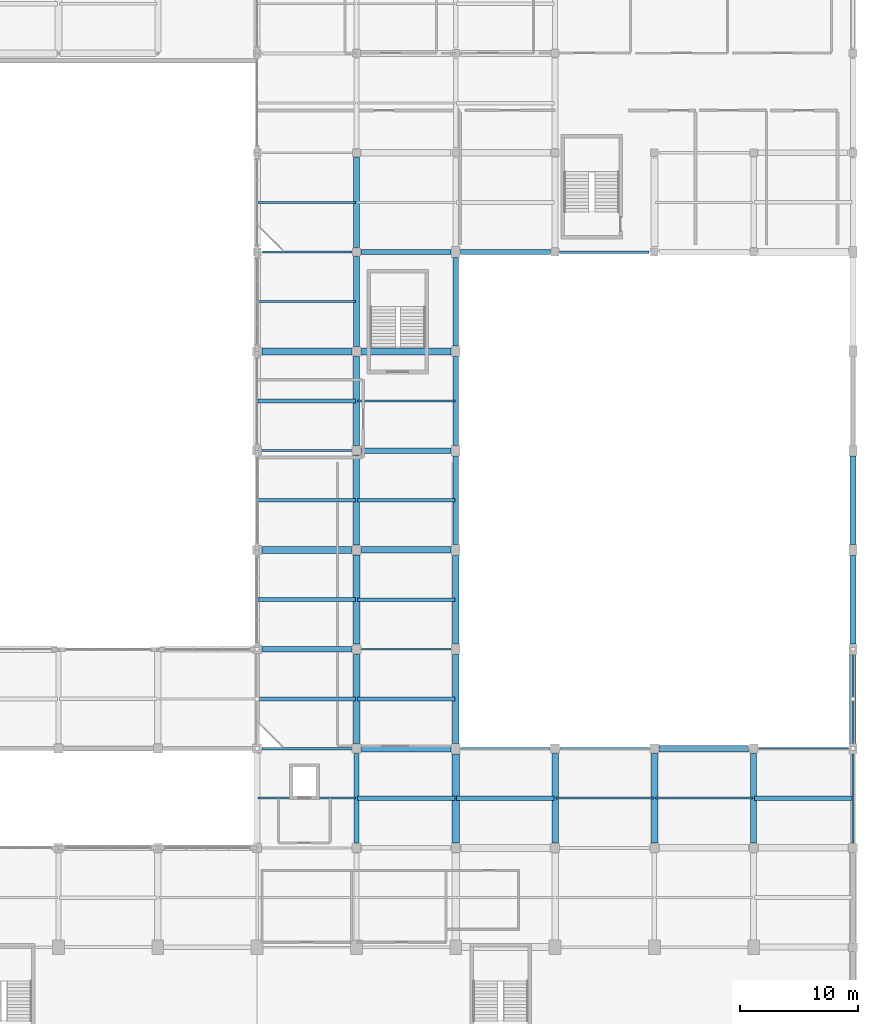
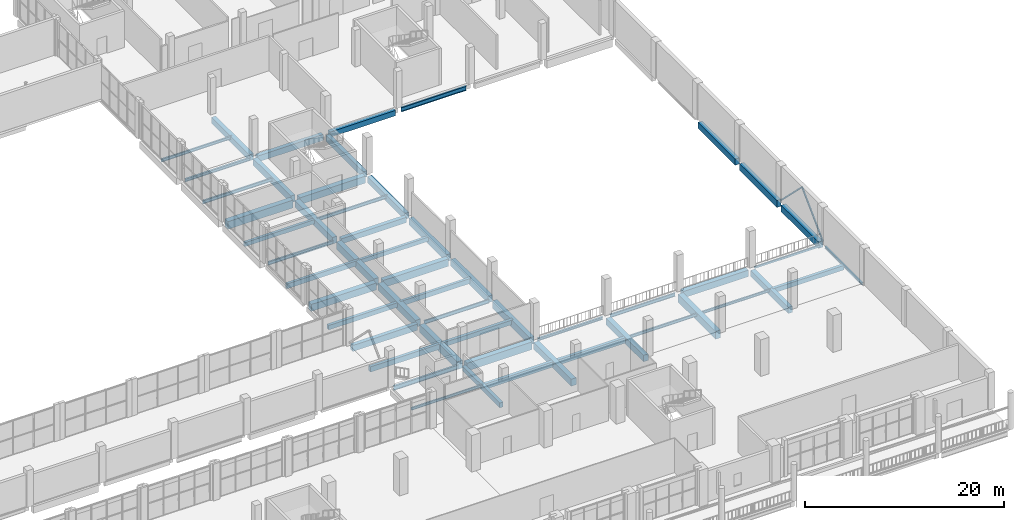
# One storey, part 44 of 75: 54 beams, 2 members.
"""IFC4 building model written with IfcOpenShell, lengths in metres."""

from ifc_helpers import new_model, si_unit, derived_unit, direction, frame, origin, origin_2d, place, context, subcontext, project, spatial, rectangle, hollow_rectangle, i_section, extrude, material, material_profile, profile_set, type_object, element, save


model = new_model("IFC4")

# Units and contexts
model_context = context("Model", 3, precision=1e-05, world=origin(), true_north=direction((0.0, 1.0)))
body_context = subcontext(model_context, "Body", "Model", "MODEL_VIEW")
ifc_project = project(units=[si_unit("LENGTHUNIT", "METRE"), si_unit("AREAUNIT", "SQUARE_METRE"), si_unit("VOLUMEUNIT", "CUBIC_METRE"), si_unit("PLANEANGLEUNIT", "RADIAN"), si_unit("MASSUNIT", "GRAM", prefix="KILO"), derived_unit("THERMALTRANSMITTANCEUNIT", [(si_unit("POWERUNIT", "WATT"), 1), (si_unit("LENGTHUNIT", "METRE"), -2), (si_unit("THERMODYNAMICTEMPERATUREUNIT", "KELVIN"), -1)])], contexts=[model_context])

# Site, building, storey
site_placement = place(None, origin())
site = spatial("IfcSite", under=ifc_project, at=site_placement, CompositionType="ELEMENT")
building_placement = place(site_placement, origin())
building = spatial("IfcBuilding", under=site, at=building_placement, Name="Barrovel Congress Hotel", CompositionType="ELEMENT")
storey_placement = place(building_placement, frame((0.0, 0.0, 5.39990234375)))
storey = spatial("IfcBuildingStorey", under=building, at=storey_placement, Name="L01", CompositionType="ELEMENT", Elevation=5.39990234375)

# Beams
ifc_material_1 = material(Name="Concrete C40", Category="concrete")
ifc_material_profile_1 = material_profile(ifc_material_1, rectangle(XDim=0.300048828125, YDim=0.5, at=origin_2d()), Name="RC300x500")
ifc_profile_set_1 = profile_set([ifc_material_profile_1], Name="Concrete C40")
beam_type_1 = type_object("IfcBeamType", Name="BM-RC300x500", PredefinedType="JOIST", material=ifc_profile_set_1)
for number, where, z_axis, x_axis, name in (
    (1, (126.080078125, 67.199951171875, -0.510009765625), (1.0, 0.0, 0.0), (0.0, 1.0, 0.0), "JST:L01:126.0:67.2"),
    (2, (134.47998046875, 58.800048828125, -0.510009765625), (1.0, 0.0, 0.0), (0.0, 1.0, 0.0), "JST:L01:134.4:58.8"),
):
    element("IfcBeam", number, at=place(storey_placement, frame(where, z_axis=z_axis, x_axis=x_axis)), inside=storey, type_object=beam_type_1, Name=name, PredefinedType="JOIST", context=body_context, shape_type="SweptSolid", body=[
        extrude(rectangle(XDim=0.300048828125, YDim=0.5, at=origin_2d()), origin(), (0.0, 0.0, 1.0), 8.239990234375),
    ])
ifc_material_profile_2 = material_profile(ifc_material_1, rectangle(XDim=0.300048828125, YDim=0.60009765625, at=origin_2d()), Name="RC300x600")
ifc_profile_set_2 = profile_set([ifc_material_profile_2], Name="Concrete C40")
beam_type_2 = type_object("IfcBeamType", Name="BM-RC300x600", PredefinedType="JOIST", material=ifc_profile_set_2)
for number, where, z_axis, x_axis, name in (
    (3, (126.080078125, 58.800048828125, -0.559814453125), (1.0, 0.0, 0.0), (0.0, 1.0, 0.0), "JST:L01:126.0:58.8"),
    (4, (134.47998046875, 50.39990234375, -0.559814453125), (1.0, 0.0, 0.0), (0.0, 1.0, 0.0), "JST:L01:134.4:50.4"),
):
    element("IfcBeam", number, at=place(storey_placement, frame(where, z_axis=z_axis, x_axis=x_axis)), inside=storey, type_object=beam_type_2, Name=name, PredefinedType="JOIST", context=body_context, shape_type="SweptSolid", body=[
        extrude(rectangle(XDim=0.300048828125, YDim=0.60009765625, at=origin_2d()), origin(), (0.0, 0.0, 1.0), 8.239990234375),
    ])
ifc_material_profile_3 = material_profile(ifc_material_1, rectangle(XDim=0.35009765625, YDim=0.550048828125, at=origin_2d()), Name="RC350x550")
ifc_profile_set_3 = profile_set([ifc_material_profile_3], Name="Concrete C40")
beam_type_3 = type_object("IfcBeamType", Name="BM-RC350x550", PredefinedType="JOIST", material=ifc_profile_set_3)
for number, where, z_axis, x_axis, name in (
    (5, (126.080078125, 50.39990234375, -0.534912109375), (1.0, 0.0, 0.0), (0.0, 1.0, 0.0), "JST:L01:126.0:50.4"),
    (6, (134.47998046875, 42.0, -0.534912109375), (1.0, 0.0, 0.0), (0.0, 1.0, 0.0), "JST:L01:134.4:42.0"),
    (7, (168.080078125, 33.60009765625, -0.534912109375), (1.0, 0.0, 0.0), (0.0, 1.0, 0.0), "JST:L01:168.0:33.6"),
):
    element("IfcBeam", number, at=place(storey_placement, frame(where, z_axis=z_axis, x_axis=x_axis)), inside=storey, type_object=beam_type_3, Name=name, PredefinedType="JOIST", context=body_context, shape_type="SweptSolid", body=[
        extrude(rectangle(XDim=0.35009765625, YDim=0.550048828125, at=origin_2d()), origin(), (0.0, 0.0, 1.0), 8.239990234375),
    ])
ifc_material_profile_4 = material_profile(ifc_material_1, rectangle(XDim=0.35009765625, YDim=0.64990234375, at=origin_2d()), Name="RC350x650")
ifc_profile_set_4 = profile_set([ifc_material_profile_4], Name="Concrete C40")
beam_type_4 = type_object("IfcBeamType", Name="BM-RC350x650", PredefinedType="JOIST", material=ifc_profile_set_4)
for number, where, z_axis, x_axis, name in (
    (8, (126.080078125, 42.0, -0.5849609375), (1.0, 0.0, 0.0), (0.0, 1.0, 0.0), "JST:L01:126.0:42.0"),
    (9, (134.47998046875, 33.60009765625, -0.5849609375), (1.0, 0.0, 0.0), (0.0, 1.0, 0.0), "JST:L01:134.4:33.6"),
):
    element("IfcBeam", number, at=place(storey_placement, frame(where, z_axis=z_axis, x_axis=x_axis)), inside=storey, type_object=beam_type_4, Name=name, PredefinedType="JOIST", context=body_context, shape_type="SweptSolid", body=[
        extrude(rectangle(XDim=0.35009765625, YDim=0.64990234375, at=origin_2d()), origin(), (0.0, 0.0, 1.0), 8.239990234375),
    ])
beam_1_placement = place(storey_placement, frame((142.8798828125, 33.60009765625, -0.5849609375), z_axis=(1.0, 0.0, 0.0), x_axis=(0.0, 1.0, 0.0)))
element("IfcBeam", 10, at=beam_1_placement, inside=storey, type_object=beam_type_4, Name="JST:L01:142.8:33.6", PredefinedType="JOIST", context=body_context, shape_type="SweptSolid", body=[
    extrude(rectangle(XDim=0.35009765625, YDim=0.64990234375, at=origin_2d()), origin(), (0.0, 0.0, 1.0), 8.240234375),
])
ifc_material_profile_5 = material_profile(ifc_material_1, rectangle(XDim=0.39990234375, YDim=0.60009765625, at=origin_2d()), Name="RC400x600")
ifc_profile_set_5 = profile_set([ifc_material_profile_5], Name="Concrete C40")
beam_type_5 = type_object("IfcBeamType", Name="BM-RC400x600", PredefinedType="BEAM", material=ifc_profile_set_5)
beam_2_placement = place(storey_placement, frame((134.39990234375, 29.824951171875, -0.559814453125), z_axis=(0.0, 1.0, 0.0), x_axis=(-1.0, 0.0, 0.0)))
element("IfcBeam", 11, at=beam_2_placement, inside=storey, type_object=beam_type_5, Name="BMY:L01:134.4:29.4-37.8", PredefinedType="BEAM", context=body_context, shape_type="SweptSolid", body=[
    extrude(rectangle(XDim=0.39990234375, YDim=0.60009765625, at=origin_2d()), origin(), (0.0, 0.0, 1.0), 7.550048828125),
])
ifc_material_profile_6 = material_profile(ifc_material_1, rectangle(XDim=0.449951171875, YDim=0.64990234375, at=origin_2d()), Name="RC450x650")
ifc_profile_set_6 = profile_set([ifc_material_profile_6], Name="Concrete C40")
beam_type_6 = type_object("IfcBeamType", Name="BM-RC450x650", PredefinedType="BEAM", material=ifc_profile_set_6)
beam_3_placement = place(storey_placement, frame((134.824951171875, 63.0, -0.5849609375), z_axis=(1.0, 0.0, 0.0), x_axis=(0.0, 1.0, 0.0)))
element("IfcBeam", 12, at=beam_3_placement, inside=storey, type_object=beam_type_6, Name="BMX:L01:63.0:134.4-142.8", PredefinedType="BEAM", context=body_context, shape_type="SweptSolid", body=[
    extrude(rectangle(XDim=0.449951171875, YDim=0.64990234375, at=origin_2d()), origin(), (0.0, 0.0, 1.0), 7.574951171875),
])
beam_4_placement = place(storey_placement, frame((143.199951171875, 79.800048828125, -0.5849609375), z_axis=(1.0, 0.0, 0.0), x_axis=(0.0, 1.0, 0.0)))
element("IfcBeam", 13, at=beam_4_placement, inside=storey, type_object=beam_type_6, Name="BMX:L01:79.8:142.8-151.2", PredefinedType="BEAM", context=body_context, shape_type="SweptSolid", body=[
    extrude(rectangle(XDim=0.449951171875, YDim=0.64990234375, at=origin_2d()), origin(), (0.0, 0.0, 1.0), 7.625),
])
ifc_material_profile_7 = material_profile(ifc_material_1, rectangle(XDim=0.449951171875, YDim=0.75, at=origin_2d()), Name="RC450x750")
ifc_profile_set_7 = profile_set([ifc_material_profile_7], Name="Concrete C40")
beam_type_7 = type_object("IfcBeamType", Name="BM-RC450x750", PredefinedType="BEAM", material=ifc_profile_set_7)
beam_5_placement = place(storey_placement, frame((126.425048828125, 46.199951171875, -0.635009765625), z_axis=(1.0, 0.0, 0.0), x_axis=(0.0, 1.0, 0.0)))
element("IfcBeam", 14, at=beam_5_placement, inside=storey, type_object=beam_type_7, Name="BMX:L01:46.2:126.0-134.4", PredefinedType="BEAM", context=body_context, shape_type="SweptSolid", body=[
    extrude(rectangle(XDim=0.449951171875, YDim=0.75, at=origin_2d()), origin(), (0.0, 0.0, 1.0), 7.550048828125),
])
beam_6_placement = place(storey_placement, frame((134.77490234375, 79.800048828125, -0.635009765625), z_axis=(1.0, 0.0, 0.0), x_axis=(0.0, 1.0, 0.0)))
element("IfcBeam", 15, at=beam_6_placement, inside=storey, type_object=beam_type_7, Name="BMX:L01:79.8:134.4-142.8", PredefinedType="BEAM", context=body_context, shape_type="SweptSolid", body=[
    extrude(rectangle(XDim=0.449951171875, YDim=0.75, at=origin_2d()), origin(), (0.0, 0.0, 1.0), 7.625),
])
beam_7_placement = place(storey_placement, frame((142.800048828125, 71.85009765625, -0.635009765625), z_axis=(0.0, 1.0, 0.0), x_axis=(-1.0, 0.0, 0.0)))
element("IfcBeam", 16, at=beam_7_placement, inside=storey, type_object=beam_type_7, Name="BMY:L01:142.8:71.4-79.8", PredefinedType="BEAM", context=body_context, shape_type="SweptSolid", body=[
    extrude(rectangle(XDim=0.449951171875, YDim=0.75, at=origin_2d()), origin(), (0.0, 0.0, 1.0), 7.5),
])
ifc_material_profile_8 = material_profile(ifc_material_1, rectangle(XDim=0.5, YDim=0.75, at=origin_2d()), Name="RC500x750")
ifc_profile_set_8 = profile_set([ifc_material_profile_8], Name="Concrete C40")
beam_type_8 = type_object("IfcBeamType", Name="BM-RC500x750", PredefinedType="BEAM", material=ifc_profile_set_8)
beam_8_placement = place(storey_placement, frame((134.39990234375, 80.175048828125, -0.635009765625), z_axis=(0.0, 1.0, 0.0), x_axis=(-1.0, 0.0, 0.0)))
element("IfcBeam", 17, at=beam_8_placement, inside=storey, type_object=beam_type_8, Name="BMY:L01:134.4:79.8-88.2", PredefinedType="BEAM", context=body_context, shape_type="SweptSolid", body=[
    extrude(rectangle(XDim=0.5, YDim=0.75, at=origin_2d()), origin(), (0.0, 0.0, 1.0), 7.64990234375),
])
beam_9_placement = place(storey_placement, frame((142.800048828125, 63.449951171875, -0.635009765625), z_axis=(0.0, 1.0, 0.0), x_axis=(-1.0, 0.0, 0.0)))
element("IfcBeam", 18, at=beam_9_placement, inside=storey, type_object=beam_type_8, Name="BMY:L01:142.8:63.0-71.4", PredefinedType="BEAM", context=body_context, shape_type="SweptSolid", body=[
    extrude(rectangle(XDim=0.5, YDim=0.75, at=origin_2d()), origin(), (0.0, 0.0, 1.0), 7.5),
])
beam_10_placement = place(storey_placement, frame((168.0, 29.824951171875, -0.635009765625), z_axis=(0.0, 1.0, 0.0), x_axis=(-1.0, 0.0, 0.0)))
element("IfcBeam", 19, at=beam_10_placement, inside=storey, type_object=beam_type_8, Name="BMY:L01:168.0:29.4-37.8", PredefinedType="BEAM", context=body_context, shape_type="SweptSolid", body=[
    extrude(rectangle(XDim=0.5, YDim=0.75, at=origin_2d()), origin(), (0.0, 0.0, 1.0), 7.550048828125),
])
beam_11_placement = place(storey_placement, frame((176.39990234375, 55.050048828125, -0.635009765625), z_axis=(0.0, 1.0, 0.0), x_axis=(-1.0, 0.0, 0.0)))
element("IfcBeam", 20, at=beam_11_placement, inside=storey, type_object=beam_type_8, Name="BMY:L01:176.4:54.6-63.0", PredefinedType="BEAM", context=body_context, shape_type="SweptSolid", body=[
    extrude(rectangle(XDim=0.5, YDim=0.75, at=origin_2d()), origin(), (0.0, 0.0, 1.0), 7.5),
])
ifc_material_profile_9 = material_profile(ifc_material_1, rectangle(XDim=0.5, YDim=0.85009765625, at=origin_2d()), Name="RC500x850")
ifc_profile_set_9 = profile_set([ifc_material_profile_9], Name="Concrete C40")
beam_type_9 = type_object("IfcBeamType", Name="BM-RC500x850", PredefinedType="BEAM", material=ifc_profile_set_9)
beam_12_placement = place(storey_placement, frame((134.39990234375, 71.824951171875, -0.684814453125), z_axis=(0.0, 1.0, 0.0), x_axis=(-1.0, 0.0, 0.0)))
element("IfcBeam", 21, at=beam_12_placement, inside=storey, type_object=beam_type_9, Name="BMY:L01:134.4:71.4-79.8", PredefinedType="BEAM", context=body_context, shape_type="SweptSolid", body=[
    extrude(rectangle(XDim=0.5, YDim=0.85009765625, at=origin_2d()), origin(), (0.0, 0.0, 1.0), 7.60009765625),
])
for number, where, z_axis, x_axis, name in (
    (22, (142.800048828125, 55.050048828125, -0.684814453125), (0.0, 1.0, 0.0), (-1.0, 0.0, 0.0), "BMY:L01:142.8:54.6-63.0"),
    (23, (176.39990234375, 46.64990234375, -0.684814453125), (0.0, 1.0, 0.0), (-1.0, 0.0, 0.0), "BMY:L01:176.4:46.2-54.6"),
):
    element("IfcBeam", number, at=place(storey_placement, frame(where, z_axis=z_axis, x_axis=x_axis)), inside=storey, type_object=beam_type_9, Name=name, PredefinedType="BEAM", context=body_context, shape_type="SweptSolid", body=[
        extrude(rectangle(XDim=0.5, YDim=0.85009765625, at=origin_2d()), origin(), (0.0, 0.0, 1.0), 7.5),
    ])
ifc_material_profile_10 = material_profile(ifc_material_1, rectangle(XDim=0.550048828125, YDim=0.800048828125, at=origin_2d()), Name="RC550x800")
ifc_profile_set_10 = profile_set([ifc_material_profile_10], Name="Concrete C40")
beam_type_10 = type_object("IfcBeamType", Name="BM-RC550x800", PredefinedType="BEAM", material=ifc_profile_set_10)
beam_13_placement = place(storey_placement, frame((160.0, 37.800048828125, -0.659912109375), z_axis=(1.0, 0.0, 0.0), x_axis=(0.0, 1.0, 0.0)))
element("IfcBeam", 24, at=beam_13_placement, inside=storey, type_object=beam_type_10, Name="BMX:L01:37.8:159.6-168.0", PredefinedType="BEAM", context=body_context, shape_type="SweptSolid", body=[
    extrude(rectangle(XDim=0.550048828125, YDim=0.800048828125, at=origin_2d()), origin(), (0.0, 0.0, 1.0), 7.574951171875),
])
beam_14_placement = place(storey_placement, frame((134.39990234375, 63.425048828125, -0.659912109375), z_axis=(0.0, 1.0, 0.0), x_axis=(-1.0, 0.0, 0.0)))
element("IfcBeam", 25, at=beam_14_placement, inside=storey, type_object=beam_type_10, Name="BMY:L01:134.4:63.0-71.4", PredefinedType="BEAM", context=body_context, shape_type="SweptSolid", body=[
    extrude(rectangle(XDim=0.550048828125, YDim=0.800048828125, at=origin_2d()), origin(), (0.0, 0.0, 1.0), 7.550048828125),
])
beam_15_placement = place(storey_placement, frame((142.800048828125, 46.64990234375, -0.659912109375), z_axis=(0.0, 1.0, 0.0), x_axis=(-1.0, 0.0, 0.0)))
element("IfcBeam", 26, at=beam_15_placement, inside=storey, type_object=beam_type_10, Name="BMY:L01:142.8:46.2-54.6", PredefinedType="BEAM", context=body_context, shape_type="SweptSolid", body=[
    extrude(rectangle(XDim=0.550048828125, YDim=0.800048828125, at=origin_2d()), origin(), (0.0, 0.0, 1.0), 7.5),
])
beam_16_placement = place(storey_placement, frame((151.199951171875, 29.824951171875, -0.659912109375), z_axis=(0.0, 1.0, 0.0), x_axis=(-1.0, 0.0, 0.0)))
element("IfcBeam", 27, at=beam_16_placement, inside=storey, type_object=beam_type_10, Name="BMY:L01:151.2:29.4-37.8", PredefinedType="BEAM", context=body_context, shape_type="SweptSolid", body=[
    extrude(rectangle(XDim=0.550048828125, YDim=0.800048828125, at=origin_2d()), origin(), (0.0, 0.0, 1.0), 7.550048828125),
])
beam_17_placement = place(storey_placement, frame((176.39990234375, 38.25, -0.659912109375), z_axis=(0.0, 1.0, 0.0), x_axis=(-1.0, 0.0, 0.0)))
element("IfcBeam", 28, at=beam_17_placement, inside=storey, type_object=beam_type_10, Name="BMY:L01:176.4:37.8-46.2", PredefinedType="BEAM", context=body_context, shape_type="SweptSolid", body=[
    extrude(rectangle(XDim=0.550048828125, YDim=0.800048828125, at=origin_2d()), origin(), (0.0, 0.0, 1.0), 7.5),
])
ifc_material_profile_11 = material_profile(ifc_material_1, rectangle(XDim=0.550048828125, YDim=0.89990234375, at=origin_2d()), Name="RC550x900")
ifc_profile_set_11 = profile_set([ifc_material_profile_11], Name="Concrete C40")
beam_type_11 = type_object("IfcBeamType", Name="BM-RC550x900", PredefinedType="BEAM", material=ifc_profile_set_11)
beam_18_placement = place(storey_placement, frame((134.824951171875, 54.60009765625, -0.7099609375), z_axis=(1.0, 0.0, 0.0), x_axis=(0.0, 1.0, 0.0)))
element("IfcBeam", 29, at=beam_18_placement, inside=storey, type_object=beam_type_11, Name="BMX:L01:54.6:134.4-142.8", PredefinedType="BEAM", context=body_context, shape_type="SweptSolid", body=[
    extrude(rectangle(XDim=0.550048828125, YDim=0.89990234375, at=origin_2d()), origin(), (0.0, 0.0, 1.0), 7.574951171875),
])
beam_19_placement = place(storey_placement, frame((134.39990234375, 55.02490234375, -0.7099609375), z_axis=(0.0, 1.0, 0.0), x_axis=(-1.0, 0.0, 0.0)))
element("IfcBeam", 30, at=beam_19_placement, inside=storey, type_object=beam_type_11, Name="BMY:L01:134.4:54.6-63.0", PredefinedType="BEAM", context=body_context, shape_type="SweptSolid", body=[
    extrude(rectangle(XDim=0.550048828125, YDim=0.89990234375, at=origin_2d()), origin(), (0.0, 0.0, 1.0), 7.550048828125),
])
beam_20_placement = place(storey_placement, frame((142.800048828125, 38.25, -0.7099609375), z_axis=(0.0, 1.0, 0.0), x_axis=(-1.0, 0.0, 0.0)))
element("IfcBeam", 31, at=beam_20_placement, inside=storey, type_object=beam_type_11, Name="BMY:L01:142.8:37.8-46.2", PredefinedType="BEAM", context=body_context, shape_type="SweptSolid", body=[
    extrude(rectangle(XDim=0.550048828125, YDim=0.89990234375, at=origin_2d()), origin(), (0.0, 0.0, 1.0), 7.5),
])
ifc_material_profile_12 = material_profile(ifc_material_1, rectangle(XDim=0.60009765625, YDim=0.85009765625, at=origin_2d()), Name="RC600x850")
ifc_profile_set_12 = profile_set([ifc_material_profile_12], Name="Concrete C40")
beam_type_12 = type_object("IfcBeamType", Name="BM-RC600x850", PredefinedType="BEAM", material=ifc_profile_set_12)
beam_21_placement = place(storey_placement, frame((126.425048828125, 54.60009765625, -0.684814453125), z_axis=(1.0, 0.0, 0.0), x_axis=(0.0, 1.0, 0.0)))
element("IfcBeam", 32, at=beam_21_placement, inside=storey, type_object=beam_type_12, Name="BMX:L01:54.6:126.0-134.4", PredefinedType="BEAM", context=body_context, shape_type="SweptSolid", body=[
    extrude(rectangle(XDim=0.60009765625, YDim=0.85009765625, at=origin_2d()), origin(), (0.0, 0.0, 1.0), 7.550048828125),
])
beam_22_placement = place(storey_placement, frame((134.824951171875, 71.39990234375, -0.684814453125), z_axis=(1.0, 0.0, 0.0), x_axis=(0.0, 1.0, 0.0)))
element("IfcBeam", 33, at=beam_22_placement, inside=storey, type_object=beam_type_12, Name="BMX:L01:71.4:134.4-142.8", PredefinedType="BEAM", context=body_context, shape_type="SweptSolid", body=[
    extrude(rectangle(XDim=0.60009765625, YDim=0.85009765625, at=origin_2d()), origin(), (0.0, 0.0, 1.0), 7.574951171875),
])
beam_23_placement = place(storey_placement, frame((134.39990234375, 46.625, -0.684814453125), z_axis=(0.0, 1.0, 0.0), x_axis=(-1.0, 0.0, 0.0)))
element("IfcBeam", 34, at=beam_23_placement, inside=storey, type_object=beam_type_12, Name="BMY:L01:134.4:46.2-54.6", PredefinedType="BEAM", context=body_context, shape_type="SweptSolid", body=[
    extrude(rectangle(XDim=0.60009765625, YDim=0.85009765625, at=origin_2d()), origin(), (0.0, 0.0, 1.0), 7.550048828125),
])
beam_24_placement = place(storey_placement, frame((142.800048828125, 29.824951171875, -0.684814453125), z_axis=(0.0, 1.0, 0.0), x_axis=(-1.0, 0.0, 0.0)))
element("IfcBeam", 35, at=beam_24_placement, inside=storey, type_object=beam_type_12, Name="BMY:L01:142.8:29.4-37.8", PredefinedType="BEAM", context=body_context, shape_type="SweptSolid", body=[
    extrude(rectangle(XDim=0.60009765625, YDim=0.85009765625, at=origin_2d()), origin(), (0.0, 0.0, 1.0), 7.525146484375),
])
ifc_material_profile_13 = material_profile(ifc_material_1, rectangle(XDim=0.60009765625, YDim=0.949951171875, at=origin_2d()), Name="RC600x950")
ifc_profile_set_13 = profile_set([ifc_material_profile_13], Name="Concrete C40")
beam_type_13 = type_object("IfcBeamType", Name="BM-RC600x950", PredefinedType="BEAM", material=ifc_profile_set_13)
beam_25_placement = place(storey_placement, frame((134.824951171875, 37.800048828125, -0.73486328125), z_axis=(1.0, 0.0, 0.0), x_axis=(0.0, 1.0, 0.0)))
element("IfcBeam", 36, at=beam_25_placement, inside=storey, type_object=beam_type_13, Name="BMX:L01:37.8:134.4-142.8", PredefinedType="BEAM", context=body_context, shape_type="SweptSolid", body=[
    extrude(rectangle(XDim=0.60009765625, YDim=0.949951171875, at=origin_2d()), origin(), (0.0, 0.0, 1.0), 7.574951171875),
])
beam_26_placement = place(storey_placement, frame((126.425048828125, 71.39990234375, -0.73486328125), z_axis=(1.0, 0.0, 0.0), x_axis=(0.0, 1.0, 0.0)))
element("IfcBeam", 37, at=beam_26_placement, inside=storey, type_object=beam_type_13, Name="BMX:L01:71.4:126.0-134.4", PredefinedType="BEAM", context=body_context, shape_type="SweptSolid", body=[
    extrude(rectangle(XDim=0.60009765625, YDim=0.949951171875, at=origin_2d()), origin(), (0.0, 0.0, 1.0), 7.550048828125),
])
beam_27_placement = place(storey_placement, frame((134.39990234375, 38.22509765625, -0.73486328125), z_axis=(0.0, 1.0, 0.0), x_axis=(-1.0, 0.0, 0.0)))
element("IfcBeam", 38, at=beam_27_placement, inside=storey, type_object=beam_type_13, Name="BMY:L01:134.4:37.8-46.2", PredefinedType="BEAM", context=body_context, shape_type="SweptSolid", body=[
    extrude(rectangle(XDim=0.60009765625, YDim=0.949951171875, at=origin_2d()), origin(), (0.0, 0.0, 1.0), 7.5498046875),
])
beam_28_placement = place(storey_placement, frame((159.60009765625, 29.824951171875, -0.73486328125), z_axis=(0.0, 1.0, 0.0), x_axis=(-1.0, 0.0, 0.0)))
element("IfcBeam", 39, at=beam_28_placement, inside=storey, type_object=beam_type_13, Name="BMY:L01:159.6:29.4-37.8", PredefinedType="BEAM", context=body_context, shape_type="SweptSolid", body=[
    extrude(rectangle(XDim=0.60009765625, YDim=0.949951171875, at=origin_2d()), origin(), (0.0, 0.0, 1.0), 7.574951171875),
])

# Members
ifc_material_2 = material(Name="Steel ASTM A500 Grade C", Category="steel")
ifc_material_profile_14 = material_profile(ifc_material_2, hollow_rectangle(XDim=0.15234375, YDim=0.15234375, WallThickness=0.00732421875, InnerFilletRadius=0.00732421875, OuterFilletRadius=0.014892578125, at=origin_2d()), Name="HSS152x152x7.9")
ifc_profile_set_14 = profile_set([ifc_material_profile_14], Name="Steel ASTM A500 Grade C")
member_type = type_object("IfcMemberType", Name="MEM-HSS152x152x7.9", PredefinedType="BRACE", material=ifc_profile_set_14)
for number, where, z_axis, x_axis, name in (
    (40, (176.39990234375, 37.800048828125, 0.0), (0.0, 0.711311711761, 0.70287669524), (-1.0, 0.0, 0.0), "CBF:L01:BF4:L"),
    (41, (176.39990234375, 46.199951171875, 0.0), (0.0, -0.711311711761, 0.70287669524), (1.0, 0.0, 0.0), "CBF:L01:BF4:R"),
):
    element("IfcMember", number, at=place(storey_placement, frame(where, z_axis=z_axis, x_axis=x_axis)), inside=storey, type_object=member_type, Name=name, PredefinedType="BRACE", context=body_context, shape_type="SweptSolid", body=[
        extrude(hollow_rectangle(XDim=0.15234375, YDim=0.15234375, WallThickness=0.00732421875, InnerFilletRadius=0.00732421875, OuterFilletRadius=0.014892578125, at=origin_2d()), origin(), (0.0, 0.0, 1.0), 5.904541015625),
    ])

# Beams
ifc_material_profile_15 = material_profile(ifc_material_2, hollow_rectangle(XDim=0.15234375, YDim=0.25390625, WallThickness=0.0087890625, InnerFilletRadius=0.0087890625, OuterFilletRadius=0.017578125, at=origin_2d()), Name="HSS254x152x9.5")
ifc_profile_set_15 = profile_set([ifc_material_profile_15], Name="Steel ASTM A500 Grade C")
beam_type_14 = type_object("IfcBeamType", Name="SBM-HSS254x152x9.5", PredefinedType="SPANDREL", material=ifc_profile_set_15)
beam_29_placement = place(storey_placement, frame((168.425048828125, 37.800048828125, -0.386962890625), z_axis=(1.0, 0.0, 0.0), x_axis=(0.0, 1.0, 0.0)))
element("IfcBeam", 42, at=beam_29_placement, inside=storey, type_object=beam_type_14, Name="BMX:L01:37.8:168.0-176.4", PredefinedType="SPANDREL", context=body_context, shape_type="SweptSolid", body=[
    extrude(hollow_rectangle(XDim=0.15234375, YDim=0.25390625, WallThickness=0.0087890625, InnerFilletRadius=0.0087890625, OuterFilletRadius=0.017578125, at=origin_2d()), origin(), (0.0, 0.0, 1.0), 7.574951171875),
])
ifc_material_3 = material(Name="Steel ASTM A992 Grade 50", Category="steel")
ifc_material_profile_16 = material_profile(ifc_material_3, i_section(OverallWidth=0.201904296875, OverallDepth=0.2470703125, WebThickness=0.00732421875, FlangeThickness=0.010986328125, FilletRadius=0.011962890625, at=origin_2d()), Name="W250x49")
ifc_profile_set_16 = profile_set([ifc_material_profile_16], Name="Steel ASTM A992 Grade 50")
beam_type_15 = type_object("IfcBeamType", Name="SBM-W250x49", PredefinedType="SPANDREL", material=ifc_profile_set_16)
beam_30_placement = place(storey_placement, frame((176.39990234375, 29.824951171875, -0.38330078125), z_axis=(0.0, 1.0, 0.0), x_axis=(-1.0, 0.0, 0.0)))
element("IfcBeam", 43, at=beam_30_placement, inside=storey, type_object=beam_type_15, Name="BMY:L01:176.4:29.4-37.8", PredefinedType="SPANDREL", context=body_context, shape_type="SweptSolid", body=[
    extrude(i_section(OverallWidth=0.201904296875, OverallDepth=0.2470703125, WebThickness=0.00732421875, FlangeThickness=0.010986328125, FilletRadius=0.011962890625, at=origin_2d()), origin(), (0.0, 0.0, 1.0), 7.525146484375),
])
ifc_material_profile_17 = material_profile(ifc_material_3, i_section(OverallWidth=0.1650390625, OverallDepth=0.31005859375, WebThickness=0.005859375, FlangeThickness=0.009765625, FilletRadius=0.010986328125, at=origin_2d()), Name="W310x39")
ifc_profile_set_17 = profile_set([ifc_material_profile_17], Name="Steel ASTM A992 Grade 50")
beam_type_16 = type_object("IfcBeamType", Name="SBM-W310x39", PredefinedType="JOIST", material=ifc_profile_set_17)
beam_31_placement = place(storey_placement, frame((126.080078125, 33.60009765625, -0.414794921875), z_axis=(1.0, 0.0, 0.0), x_axis=(0.0, 1.0, 0.0)))
element("IfcBeam", 44, at=beam_31_placement, inside=storey, type_object=beam_type_16, Name="JST:L01:126.0:33.6", PredefinedType="JOIST", context=body_context, shape_type="SweptSolid", body=[
    extrude(i_section(OverallWidth=0.1650390625, OverallDepth=0.31005859375, WebThickness=0.005859375, FlangeThickness=0.009765625, FilletRadius=0.010986328125, at=origin_2d()), origin(), (0.0, 0.0, 1.0), 8.239990234375),
])
ifc_material_profile_18 = material_profile(ifc_material_3, i_section(OverallWidth=0.1669921875, OverallDepth=0.31689453125, WebThickness=0.007568359375, FlangeThickness=0.01318359375, FilletRadius=0.010986328125, at=origin_2d()), Name="W310x52")
ifc_profile_set_18 = profile_set([ifc_material_profile_18], Name="Steel ASTM A992 Grade 50")
beam_type_17 = type_object("IfcBeamType", Name="SBM-W310x52", PredefinedType="JOIST", material=ifc_profile_set_18)
beam_32_placement = place(storey_placement, frame((159.679931640625, 33.60009765625, -0.41845703125), z_axis=(1.0, 0.0, 0.0), x_axis=(0.0, 1.0, 0.0)))
element("IfcBeam", 45, at=beam_32_placement, inside=storey, type_object=beam_type_17, Name="JST:L01:159.6:33.6", PredefinedType="JOIST", context=body_context, shape_type="SweptSolid", body=[
    extrude(i_section(OverallWidth=0.1669921875, OverallDepth=0.31689453125, WebThickness=0.007568359375, FlangeThickness=0.01318359375, FilletRadius=0.010986328125, at=origin_2d()), origin(), (0.0, 0.0, 1.0), 8.239990234375),
])
ifc_material_profile_19 = material_profile(ifc_material_3, i_section(OverallWidth=0.205078125, OverallDepth=0.31005859375, WebThickness=0.009521484375, FlangeThickness=0.016357421875, FilletRadius=0.012939453125, at=origin_2d()), Name="W310x74")
ifc_profile_set_19 = profile_set([ifc_material_profile_19], Name="Steel ASTM A992 Grade 50")
beam_type_18 = type_object("IfcBeamType", Name="SBM-W310x74", PredefinedType="SPANDREL", material=ifc_profile_set_19)
beam_33_placement = place(storey_placement, frame((143.199951171875, 37.800048828125, -0.414794921875), z_axis=(1.0, 0.0, 0.0), x_axis=(0.0, 1.0, 0.0)))
element("IfcBeam", 46, at=beam_33_placement, inside=storey, type_object=beam_type_18, Name="BMX:L01:37.8:142.8-151.2", PredefinedType="SPANDREL", context=body_context, shape_type="SweptSolid", body=[
    extrude(i_section(OverallWidth=0.205078125, OverallDepth=0.31005859375, WebThickness=0.009521484375, FlangeThickness=0.016357421875, FilletRadius=0.012939453125, at=origin_2d()), origin(), (0.0, 0.0, 1.0), 7.574951171875),
])
ifc_material_profile_20 = material_profile(ifc_material_3, i_section(OverallWidth=0.172119140625, OverallDepth=0.35791015625, WebThickness=0.0078125, FlangeThickness=0.01318359375, FilletRadius=0.011962890625, at=origin_2d()), Name="W360x57")
ifc_profile_set_20 = profile_set([ifc_material_profile_20], Name="Steel ASTM A992 Grade 50")
beam_type_19 = type_object("IfcBeamType", Name="SBM-W360x57", PredefinedType="JOIST", material=ifc_profile_set_20)
for number, where, z_axis, x_axis, name in (
    (47, (126.080078125, 84.0, -0.43896484375), (1.0, 0.0, 0.0), (0.0, 1.0, 0.0), "JST:L01:126.0:84.0"),
    (48, (151.280029296875, 33.60009765625, -0.43896484375), (1.0, 0.0, 0.0), (0.0, 1.0, 0.0), "JST:L01:151.2:33.6"),
):
    element("IfcBeam", number, at=place(storey_placement, frame(where, z_axis=z_axis, x_axis=x_axis)), inside=storey, type_object=beam_type_19, Name=name, PredefinedType="JOIST", context=body_context, shape_type="SweptSolid", body=[
        extrude(i_section(OverallWidth=0.172119140625, OverallDepth=0.35791015625, WebThickness=0.0078125, FlangeThickness=0.01318359375, FilletRadius=0.011962890625, at=origin_2d()), origin(), (0.0, 0.0, 1.0), 8.239990234375),
    ])
ifc_material_profile_21 = material_profile(ifc_material_3, i_section(OverallWidth=0.205078125, OverallDepth=0.35400390625, WebThickness=0.009521484375, FlangeThickness=0.016845703125, FilletRadius=0.012939453125, at=origin_2d()), Name="W360x79")
ifc_profile_set_21 = profile_set([ifc_material_profile_21], Name="Steel ASTM A992 Grade 50")
beam_type_20 = type_object("IfcBeamType", Name="SBM-W360x79", PredefinedType="BEAM", material=ifc_profile_set_21)
beam_34_placement = place(storey_placement, frame((126.449951171875, 79.800048828125, -0.43701171875), z_axis=(1.0, 0.0, 0.0), x_axis=(0.0, 1.0, 0.0)))
element("IfcBeam", 49, at=beam_34_placement, inside=storey, type_object=beam_type_20, Name="BMX:L01:79.8:126.0-134.4", PredefinedType="BEAM", context=body_context, shape_type="SweptSolid", body=[
    extrude(i_section(OverallWidth=0.205078125, OverallDepth=0.35400390625, WebThickness=0.009521484375, FlangeThickness=0.016845703125, FilletRadius=0.012939453125, at=origin_2d()), origin(), (0.0, 0.0, 1.0), 7.574951171875),
])
ifc_material_profile_22 = material_profile(ifc_material_3, i_section(OverallWidth=0.177001953125, OverallDepth=0.403076171875, WebThickness=0.007568359375, FlangeThickness=0.010986328125, FilletRadius=0.011962890625, at=origin_2d()), Name="W410x53")
ifc_profile_set_22 = profile_set([ifc_material_profile_22], Name="Steel ASTM A992 Grade 50")
beam_type_21 = type_object("IfcBeamType", Name="SBM-W410x53", PredefinedType="JOIST", material=ifc_profile_set_22)
for number, where, z_axis, x_axis, name in (
    (50, (126.080078125, 75.60009765625, -0.46142578125), (1.0, 0.0, 0.0), (0.0, 1.0, 0.0), "JST:L01:126.0:75.6"),
    (51, (134.47998046875, 67.199951171875, -0.46142578125), (1.0, 0.0, 0.0), (0.0, 1.0, 0.0), "JST:L01:134.4:67.2"),
):
    element("IfcBeam", number, at=place(storey_placement, frame(where, z_axis=z_axis, x_axis=x_axis)), inside=storey, type_object=beam_type_21, Name=name, PredefinedType="JOIST", context=body_context, shape_type="SweptSolid", body=[
        extrude(i_section(OverallWidth=0.177001953125, OverallDepth=0.403076171875, WebThickness=0.007568359375, FlangeThickness=0.010986328125, FilletRadius=0.011962890625, at=origin_2d()), origin(), (0.0, 0.0, 1.0), 8.239990234375),
    ])
ifc_material_profile_23 = material_profile(ifc_material_3, i_section(OverallWidth=0.178955078125, OverallDepth=0.409912109375, WebThickness=0.0087890625, FlangeThickness=0.014404296875, FilletRadius=0.011962890625, at=origin_2d()), Name="W410x67")
ifc_profile_set_23 = profile_set([ifc_material_profile_23], Name="Steel ASTM A992 Grade 50")
beam_type_22 = type_object("IfcBeamType", Name="SBM-W410x67", PredefinedType="BEAM", material=ifc_profile_set_23)
beam_35_placement = place(storey_placement, frame((151.625, 37.800048828125, -0.46484375), z_axis=(1.0, 0.0, 0.0), x_axis=(0.0, 1.0, 0.0)))
element("IfcBeam", 52, at=beam_35_placement, inside=storey, type_object=beam_type_22, Name="BMX:L01:37.8:151.2-159.6", PredefinedType="BEAM", context=body_context, shape_type="SweptSolid", body=[
    extrude(i_section(OverallWidth=0.178955078125, OverallDepth=0.409912109375, WebThickness=0.0087890625, FlangeThickness=0.014404296875, FilletRadius=0.011962890625, at=origin_2d()), origin(), (0.0, 0.0, 1.0), 7.574951171875),
])
beam_36_placement = place(storey_placement, frame((126.425048828125, 63.0, -0.46484375), z_axis=(1.0, 0.0, 0.0), x_axis=(0.0, 1.0, 0.0)))
element("IfcBeam", 53, at=beam_36_placement, inside=storey, type_object=beam_type_22, Name="BMX:L01:63.0:126.0-134.4", PredefinedType="BEAM", context=body_context, shape_type="SweptSolid", body=[
    extrude(i_section(OverallWidth=0.178955078125, OverallDepth=0.409912109375, WebThickness=0.0087890625, FlangeThickness=0.014404296875, FilletRadius=0.011962890625, at=origin_2d()), origin(), (0.0, 0.0, 1.0), 7.550048828125),
])
ifc_material_profile_24 = material_profile(ifc_material_3, i_section(OverallWidth=0.154052734375, OverallDepth=0.458984375, WebThickness=0.009033203125, FlangeThickness=0.015380859375, FilletRadius=0.012939453125, at=origin_2d()), Name="W460x68")
ifc_profile_set_24 = profile_set([ifc_material_profile_24], Name="Steel ASTM A992 Grade 50")
beam_type_23 = type_object("IfcBeamType", Name="SBM-W460x68", PredefinedType="BEAM", material=ifc_profile_set_24)
beam_37_placement = place(storey_placement, frame((134.824951171875, 46.199951171875, -0.489501953125), z_axis=(1.0, 0.0, 0.0), x_axis=(0.0, 1.0, 0.0)))
element("IfcBeam", 54, at=beam_37_placement, inside=storey, type_object=beam_type_23, Name="BMX:L01:46.2:134.4-142.8", PredefinedType="BEAM", context=body_context, shape_type="SweptSolid", body=[
    extrude(i_section(OverallWidth=0.154052734375, OverallDepth=0.458984375, WebThickness=0.009033203125, FlangeThickness=0.015380859375, FilletRadius=0.012939453125, at=origin_2d()), origin(), (0.0, 0.0, 1.0), 7.574951171875),
])
ifc_material_profile_25 = material_profile(ifc_material_3, i_section(OverallWidth=0.208984375, OverallDepth=0.529052734375, WebThickness=0.009765625, FlangeThickness=0.013671875, FilletRadius=0.013916015625, at=origin_2d()), Name="W530x74")
ifc_profile_set_25 = profile_set([ifc_material_profile_25], Name="Steel ASTM A992 Grade 50")
beam_type_24 = type_object("IfcBeamType", Name="SBM-W530x74", PredefinedType="BEAM", material=ifc_profile_set_25)
beam_38_placement = place(storey_placement, frame((126.425048828125, 37.800048828125, -0.5244140625), z_axis=(1.0, 0.0, 0.0), x_axis=(0.0, 1.0, 0.0)))
element("IfcBeam", 55, at=beam_38_placement, inside=storey, type_object=beam_type_24, Name="BMX:L01:37.8:126.0-134.4", PredefinedType="BEAM", context=body_context, shape_type="SweptSolid", body=[
    extrude(i_section(OverallWidth=0.208984375, OverallDepth=0.529052734375, WebThickness=0.009765625, FlangeThickness=0.013671875, FilletRadius=0.013916015625, at=origin_2d()), origin(), (0.0, 0.0, 1.0), 7.550048828125),
])
ifc_material_profile_26 = material_profile(ifc_material_3, i_section(OverallWidth=0.208984375, OverallDepth=0.532958984375, WebThickness=0.01025390625, FlangeThickness=0.015625, FilletRadius=0.013916015625, at=origin_2d()), Name="W530x92")
ifc_profile_set_26 = profile_set([ifc_material_profile_26], Name="Steel ASTM A992 Grade 50")
beam_type_25 = type_object("IfcBeamType", Name="SBM-W530x92", PredefinedType="BEAM", material=ifc_profile_set_26)
beam_39_placement = place(storey_placement, frame((151.574951171875, 79.800048828125, -0.5263671875), z_axis=(1.0, 0.0, 0.0), x_axis=(0.0, 1.0, 0.0)))
element("IfcBeam", 56, at=beam_39_placement, inside=storey, type_object=beam_type_25, Name="BMX:L01:79.8:151.2-159.6", PredefinedType="BEAM", context=body_context, shape_type="SweptSolid", body=[
    extrude(i_section(OverallWidth=0.208984375, OverallDepth=0.532958984375, WebThickness=0.01025390625, FlangeThickness=0.015625, FilletRadius=0.013916015625, at=origin_2d()), origin(), (0.0, 0.0, 1.0), 7.574951171875),
])

save(model, "model.ifc")
